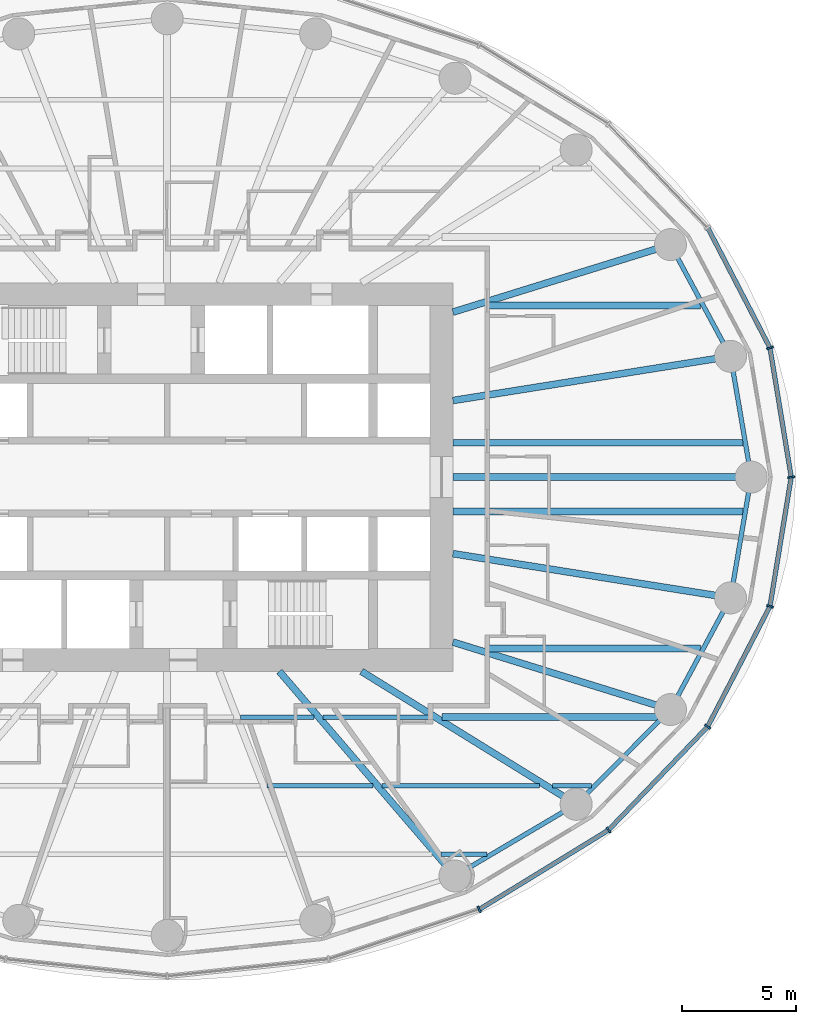
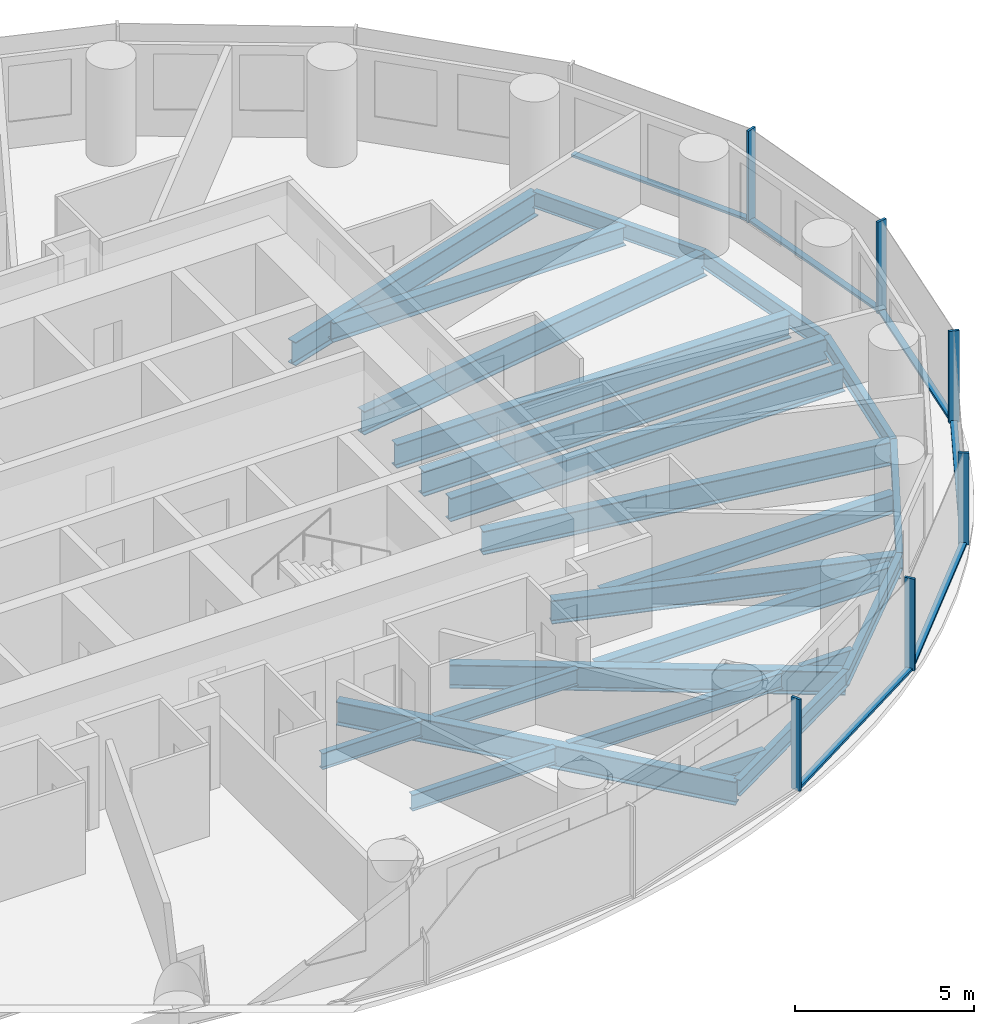
# One storey, part 3 of 14: 24 beams, 12 members, 2 elements without a shape of their own.
"""IFC4 building model written with IfcOpenShell, lengths in metres."""

from ifc_helpers import new_model, si_unit, direction, frame, origin, origin_2d, place, context, subcontext, project, spatial, rectangle, i_section, extrude, material, material_profile, profile_set, type_object, element, aggregate, save


model = new_model("IFC4")

# Units and contexts
model_context = context("Model", 3, precision=1e-05, world=origin(), true_north=direction((0.0, 1.0)))
body_context = subcontext(model_context, "Body", "Model", "MODEL_VIEW")
ifc_project = project(units=[si_unit("LENGTHUNIT", "METRE"), si_unit("AREAUNIT", "SQUARE_METRE"), si_unit("VOLUMEUNIT", "CUBIC_METRE"), si_unit("PLANEANGLEUNIT", "RADIAN"), si_unit("MASSUNIT", "GRAM", prefix="KILO")], contexts=[model_context])

# Site, building, storey
site_placement = place(None, origin())
site = spatial("IfcSite", under=ifc_project, at=site_placement, CompositionType="ELEMENT")
building_placement = place(site_placement, origin())
building = spatial("IfcBuilding", under=site, at=building_placement, Name="Hankou Lantern Tower", CompositionType="ELEMENT")
storey_placement = place(building_placement, frame((0.0, 0.0, 50.699951171875)))
storey = spatial("IfcBuildingStorey", under=building, at=storey_placement, Name="L11", CompositionType="ELEMENT", Elevation=50.699951171875)

# Beams
ifc_material_1 = material(Name="Steel Q355B", Category="steel")
ifc_material_profile_1 = material_profile(ifc_material_1, i_section(OverallWidth=0.199951171875, OverallDepth=0.550048828125, WebThickness=0.010009765625, FlangeThickness=0.01611328125, FilletRadius=0.012939453125, at=origin_2d()), Name="HN550x200x10x16")
ifc_profile_set_1 = profile_set([ifc_material_profile_1], Name="Steel Q355B")
beam_type_1 = type_object("IfcBeamType", Name="EB6 RING BEAM HN550x200x10x16", PredefinedType="SPANDREL", material=ifc_profile_set_1)
beam_1_placement = place(storey_placement, frame((25.550048828125, 0.0, -0.454833984375), z_axis=(-0.168489691988, 0.985703415685, 0.0), x_axis=(-0.985703415685, -0.168489691988, 0.0)))
element("IfcBeam", 1, at=beam_1_placement, inside=storey, type_object=beam_type_1, Name="Ring beam R01-R02 L11", PredefinedType="SPANDREL", context=body_context, shape_type="SweptSolid", body=[
    extrude(i_section(OverallWidth=0.199951171875, OverallDepth=0.550048828125, WebThickness=0.010009765625, FlangeThickness=0.01611328125, FilletRadius=0.012939453125, at=origin_2d()), origin(), (0.0, 0.0, 1.0), 5.35986328125),
])
beam_2_placement = place(storey_placement, frame((24.64697265625, 5.283203125, -0.454833984375), z_axis=(-0.473609096023, 0.880735161194, 0.0), x_axis=(-0.880735161194, -0.473609096023, 0.0)))
element("IfcBeam", 2, at=beam_2_placement, inside=storey, type_object=beam_type_1, Name="Ring beam R02-R03 L11", PredefinedType="SPANDREL", context=body_context, shape_type="SweptSolid", body=[
    extrude(i_section(OverallWidth=0.199951171875, OverallDepth=0.550048828125, WebThickness=0.010009765625, FlangeThickness=0.01611328125, FilletRadius=0.012939453125, at=origin_2d()), origin(), (0.0, 0.0, 1.0), 5.548828125),
])
beam_3_placement = place(storey_placement, frame((12.5908203125, -17.446533203125, -0.454833984375), z_axis=(0.860881533543, 0.508805449268, 0.0), x_axis=(-0.508805449268, 0.860881533543, 0.0)))
element("IfcBeam", 3, at=beam_3_placement, inside=storey, type_object=beam_type_1, Name="Ring beam R21-R22 L11", PredefinedType="SPANDREL", context=body_context, shape_type="SweptSolid", body=[
    extrude(i_section(OverallWidth=0.199951171875, OverallDepth=0.550048828125, WebThickness=0.010009765625, FlangeThickness=0.01611328125, FilletRadius=0.012939453125, at=origin_2d()), origin(), (0.0, 0.0, 1.0), 6.15771484375),
])
beam_4_placement = place(storey_placement, frame((17.891845703125, -14.3134765625, -0.454833984375), z_axis=(0.705727798394, 0.708483079949, 0.0), x_axis=(-0.708483079949, 0.705727798394, 0.0)))
element("IfcBeam", 4, at=beam_4_placement, inside=storey, type_object=beam_type_1, Name="Ring beam R22-R23 L11", PredefinedType="SPANDREL", context=body_context, shape_type="SweptSolid", body=[
    extrude(i_section(OverallWidth=0.199951171875, OverallDepth=0.550048828125, WebThickness=0.010009765625, FlangeThickness=0.01611328125, FilletRadius=0.012939453125, at=origin_2d()), origin(), (0.0, 0.0, 1.0), 5.84814453125),
])
beam_5_placement = place(storey_placement, frame((22.01904296875, -10.170166015625, -0.454833984375), z_axis=(0.473609096023, 0.880735161194, 0.0), x_axis=(-0.880735161194, 0.473609096023, 0.0)))
element("IfcBeam", 5, at=beam_5_placement, inside=storey, type_object=beam_type_1, Name="Ring beam R23-R24 L11", PredefinedType="SPANDREL", context=body_context, shape_type="SweptSolid", body=[
    extrude(i_section(OverallWidth=0.199951171875, OverallDepth=0.550048828125, WebThickness=0.010009765625, FlangeThickness=0.01611328125, FilletRadius=0.012939453125, at=origin_2d()), origin(), (0.0, 0.0, 1.0), 5.548828125),
])
beam_6_placement = place(storey_placement, frame((24.64697265625, -5.283203125, -0.454833984375), z_axis=(0.168489691988, 0.985703415685, 0.0), x_axis=(-0.985703415685, 0.168489691988, 0.0)))
element("IfcBeam", 6, at=beam_6_placement, inside=storey, type_object=beam_type_1, Name="Ring beam R24-R01 L11", PredefinedType="SPANDREL", context=body_context, shape_type="SweptSolid", body=[
    extrude(i_section(OverallWidth=0.199951171875, OverallDepth=0.550048828125, WebThickness=0.010009765625, FlangeThickness=0.01611328125, FilletRadius=0.012939453125, at=origin_2d()), origin(), (0.0, 0.0, 1.0), 5.35986328125),
])

# Curtain wall, members
ifc_material_2 = material(Name="Glass, dark grey tinted laminated", Category="glass")
curtain_wall_type = type_object("IfcCurtainWallType", Name="CWA OUTER SKIN LOW-RISE", PredefinedType="USERDEFINED", material=ifc_material_2)
curtain_wall_1_placement = place(storey_placement, origin())
curtain_wall_1 = element("IfcCurtainWall", 7, at=curtain_wall_1_placement, inside=storey, type_object=curtain_wall_type, Name="CWA L11 OS1", ObjectType="OUTER SKIN LOW-RISE", PredefinedType="USERDEFINED")
ifc_material_3 = material(Name="Aluminium, black anodised", Category="aluminium")
ifc_material_profile_2 = material_profile(ifc_material_3, rectangle(XDim=0.080078125, YDim=0.300048828125, at=origin_2d()), Name="MU1 80X300")
ifc_profile_set_2 = profile_set([ifc_material_profile_2], Name="Aluminium, black anodised")
member_type_1 = type_object("IfcMemberType", Name="MU1 OUTER SKIN MULLION 80X300", PredefinedType="MULLION", material=ifc_profile_set_2)
member_1_placement = place(storey_placement, frame((27.300048828125, 0.0, 0.0), z_axis=(0.0, 0.0, 1.0), x_axis=(-0.162381515188, 0.986728049427, 0.0)))
member_1 = element("IfcMember", 8, at=member_1_placement, type_object=member_type_1, Name="CWA mullion 1", PredefinedType="MULLION", context=body_context, shape_type="SweptSolid", body=[
    extrude(rectangle(XDim=0.080078125, YDim=0.300048828125, at=origin_2d()), origin(), (0.0, 0.0, 1.0), 3.1201171875),
])
member_2_placement = place(storey_placement, frame((26.369873046875, 5.652587890625, 0.0), z_axis=(0.0, 0.0, 1.0), x_axis=(-0.317595577365, 0.94822626479, 0.0)))
member_2 = element("IfcMember", 9, at=member_2_placement, type_object=member_type_1, Name="CWA mullion 2", PredefinedType="MULLION", context=body_context, shape_type="SweptSolid", body=[
    extrude(rectangle(XDim=0.080078125, YDim=0.300048828125, at=origin_2d()), origin(), (0.0, 0.0, 1.0), 3.1201171875),
])

curtain_wall_2_placement = place(storey_placement, origin())
curtain_wall_2 = element("IfcCurtainWall", 10, at=curtain_wall_2_placement, inside=storey, type_object=curtain_wall_type, Name="CWA L11 OS4", ObjectType="OUTER SKIN LOW-RISE", PredefinedType="USERDEFINED")
member_3_placement = place(storey_placement, frame((13.64990234375, -18.9140625, 0.0), z_axis=(0.0, 0.0, 1.0), x_axis=(0.907841299004, 0.419313934686, 0.0)))
member_3 = element("IfcMember", 11, at=member_3_placement, type_object=member_type_1, Name="CWA mullion 3", PredefinedType="MULLION", context=body_context, shape_type="SweptSolid", body=[
    extrude(rectangle(XDim=0.080078125, YDim=0.300048828125, at=origin_2d()), origin(), (0.0, 0.0, 1.0), 3.1201171875),
])
member_4_placement = place(storey_placement, frame((19.303955078125, -15.443115234375, 0.0), z_axis=(0.0, 0.0, 1.0), x_axis=(0.780868809444, 0.624695047553, 0.0)))
member_4 = element("IfcMember", 12, at=member_4_placement, type_object=member_type_1, Name="CWA mullion 4", PredefinedType="MULLION", context=body_context, shape_type="SweptSolid", body=[
    extrude(rectangle(XDim=0.080078125, YDim=0.300048828125, at=origin_2d()), origin(), (0.0, 0.0, 1.0), 3.1201171875),
])
member_5_placement = place(storey_placement, frame((23.642578125, -10.919921875, 0.0), z_axis=(0.0, 0.0, 1.0), x_axis=(0.585205735974, 0.810884854084, 0.0)))
member_5 = element("IfcMember", 13, at=member_5_placement, type_object=member_type_1, Name="CWA mullion 5", PredefinedType="MULLION", context=body_context, shape_type="SweptSolid", body=[
    extrude(rectangle(XDim=0.080078125, YDim=0.300048828125, at=origin_2d()), origin(), (0.0, 0.0, 1.0), 3.1201171875),
])
member_6_placement = place(storey_placement, frame((26.369873046875, -5.652587890625, 0.0), z_axis=(0.0, 0.0, 1.0), x_axis=(0.317595577365, 0.94822626479, 0.0)))
member_6 = element("IfcMember", 14, at=member_6_placement, type_object=member_type_1, Name="CWA mullion 6", PredefinedType="MULLION", context=body_context, shape_type="SweptSolid", body=[
    extrude(rectangle(XDim=0.080078125, YDim=0.300048828125, at=origin_2d()), origin(), (0.0, 0.0, 1.0), 3.1201171875),
])

# Beams
ifc_material_4 = material(Name="Steel Q355B", Category="steel")
ifc_material_profile_3 = material_profile(ifc_material_4, i_section(OverallWidth=0.300048828125, OverallDepth=0.800048828125, WebThickness=0.013916015625, FlangeThickness=0.02587890625, FilletRadius=0.01806640625, at=origin_2d()), Name="HN800x300x14x26")
ifc_profile_set_3 = profile_set([ifc_material_profile_3], Name="Steel Q355B")
beam_type_2 = type_object("IfcBeamType", Name="RB11 RADIAL BEAM HN800x300x14x26", PredefinedType="BEAM", material=ifc_profile_set_3)
beam_7_placement = place(storey_placement, frame((12.5, 3.349365234375, -0.579833984375), z_axis=(0.987563081343, 0.157223281893, 0.0), x_axis=(-0.157223281893, 0.987563081343, 0.0)))
element("IfcBeam", 15, at=beam_7_placement, inside=storey, type_object=beam_type_2, Name="Radial beam R02 L11", PredefinedType="BEAM", context=body_context, shape_type="SweptSolid", body=[
    extrude(i_section(OverallWidth=0.300048828125, OverallDepth=0.800048828125, WebThickness=0.013916015625, FlangeThickness=0.02587890625, FilletRadius=0.01806640625, at=origin_2d()), origin(), (0.0, 0.0, 1.0), 12.300048828125),
])
beam_8_placement = place(storey_placement, frame((12.5, 7.216796875, -0.579833984375), z_axis=(0.955087327755, 0.29632447817, 0.0), x_axis=(-0.29632447817, 0.955087327755, 0.0)))
element("IfcBeam", 16, at=beam_8_placement, inside=storey, type_object=beam_type_2, Name="Radial beam R03 L11", PredefinedType="BEAM", context=body_context, shape_type="SweptSolid", body=[
    extrude(i_section(OverallWidth=0.300048828125, OverallDepth=0.800048828125, WebThickness=0.013916015625, FlangeThickness=0.02587890625, FilletRadius=0.01806640625, at=origin_2d()), origin(), (0.0, 0.0, 1.0), 9.966552734375),
])
beam_9_placement = place(storey_placement, frame((4.907470703125, -8.5, -0.579833984375), z_axis=(0.651519061225, -0.758632264579, 0.0), x_axis=(0.758632264579, 0.651519061225, 0.0)))
element("IfcBeam", 17, at=beam_9_placement, inside=storey, type_object=beam_type_2, Name="Radial beam R21 L11", PredefinedType="BEAM", context=body_context, shape_type="SweptSolid", body=[
    extrude(i_section(OverallWidth=0.300048828125, OverallDepth=0.800048828125, WebThickness=0.013916015625, FlangeThickness=0.02587890625, FilletRadius=0.01806640625, at=origin_2d()), origin(), (0.0, 0.0, 1.0), 11.79296875),
])
beam_10_placement = place(storey_placement, frame((8.5, -8.5, -0.579833984375), z_axis=(0.850286343288, -0.526320372414, 0.0), x_axis=(0.526320372414, 0.850286343288, 0.0)))
element("IfcBeam", 18, at=beam_10_placement, inside=storey, type_object=beam_type_2, Name="Radial beam R22 L11", PredefinedType="BEAM", context=body_context, shape_type="SweptSolid", body=[
    extrude(i_section(OverallWidth=0.300048828125, OverallDepth=0.800048828125, WebThickness=0.013916015625, FlangeThickness=0.02587890625, FilletRadius=0.01806640625, at=origin_2d()), origin(), (0.0, 0.0, 1.0), 11.04541015625),
])
beam_11_placement = place(storey_placement, frame((12.5, -7.216796875, -0.579833984375), z_axis=(0.955087327755, -0.29632447817, 0.0), x_axis=(0.29632447817, 0.955087327755, 0.0)))
element("IfcBeam", 19, at=beam_11_placement, inside=storey, type_object=beam_type_2, Name="Radial beam R23 L11", PredefinedType="BEAM", context=body_context, shape_type="SweptSolid", body=[
    extrude(i_section(OverallWidth=0.300048828125, OverallDepth=0.800048828125, WebThickness=0.013916015625, FlangeThickness=0.02587890625, FilletRadius=0.01806640625, at=origin_2d()), origin(), (0.0, 0.0, 1.0), 9.966552734375),
])
beam_12_placement = place(storey_placement, frame((12.5, -3.349365234375, -0.579833984375), z_axis=(0.987563081343, -0.157223281893, 0.0), x_axis=(0.157223281893, 0.987563081343, 0.0)))
element("IfcBeam", 20, at=beam_12_placement, inside=storey, type_object=beam_type_2, Name="Radial beam R24 L11", PredefinedType="BEAM", context=body_context, shape_type="SweptSolid", body=[
    extrude(i_section(OverallWidth=0.300048828125, OverallDepth=0.800048828125, WebThickness=0.013916015625, FlangeThickness=0.02587890625, FilletRadius=0.01806640625, at=origin_2d()), origin(), (0.0, 0.0, 1.0), 12.300048828125),
])
ifc_material_5 = material(Name="Steel Q355B", Category="steel")
ifc_material_profile_4 = material_profile(ifc_material_5, i_section(OverallWidth=0.300048828125, OverallDepth=0.85009765625, WebThickness=0.01611328125, FlangeThickness=0.027099609375, FilletRadius=0.01806640625, at=origin_2d()), Name="HN850x300x16x27")
ifc_profile_set_4 = profile_set([ifc_material_profile_4], Name="Steel Q355B")
beam_type_3 = type_object("IfcBeamType", Name="RB12 RADIAL BEAM HN850x300x16x27", PredefinedType="BEAM", material=ifc_profile_set_4)
beam_13_placement = place(storey_placement, frame((12.5, 0.0, -0.60498046875), z_axis=(1.0, 0.0, 0.0), x_axis=(0.0, 1.0, 0.0)))
element("IfcBeam", 21, at=beam_13_placement, inside=storey, type_object=beam_type_3, Name="Radial beam R01 L11", PredefinedType="BEAM", context=body_context, shape_type="SweptSolid", body=[
    extrude(i_section(OverallWidth=0.300048828125, OverallDepth=0.85009765625, WebThickness=0.01611328125, FlangeThickness=0.027099609375, FilletRadius=0.01806640625, at=origin_2d()), origin(), (0.0, 0.0, 1.0), 13.050048828125),
])
ifc_material_6 = material(Name="Steel Q355B", Category="steel")
ifc_material_profile_5 = material_profile(ifc_material_6, i_section(OverallWidth=0.300048828125, OverallDepth=0.800048828125, WebThickness=0.013916015625, FlangeThickness=0.02587890625, FilletRadius=0.01806640625, at=origin_2d()), Name="HN800x300x14x26")
ifc_profile_set_5 = profile_set([ifc_material_profile_5], Name="Steel Q355B")
beam_type_4 = type_object("IfcBeamType", Name="SB11 SECONDARY BEAM HN800x300x14x26", PredefinedType="JOIST", material=ifc_profile_set_5)
for number, where, z_axis, x_axis, name in (
    (22, (12.5, -1.5, -0.579833984375), (1.0, 0.0, 0.0), (0.0, 1.0, 0.0), "Floor joist J030 L11"),
    (23, (12.5, 1.5, -0.579833984375), (1.0, 0.0, 0.0), (0.0, 1.0, 0.0), "Floor joist J032 L11"),
):
    element("IfcBeam", number, at=place(storey_placement, frame(where, z_axis=z_axis, x_axis=x_axis)), inside=storey, type_object=beam_type_4, Name=name, PredefinedType="JOIST", context=body_context, shape_type="SweptSolid", body=[
        extrude(i_section(OverallWidth=0.300048828125, OverallDepth=0.800048828125, WebThickness=0.013916015625, FlangeThickness=0.02587890625, FilletRadius=0.01806640625, at=origin_2d()), origin(), (0.0, 0.0, 1.0), 12.692138671875),
    ])
ifc_material_7 = material(Name="Steel Q355B", Category="steel")
ifc_material_profile_6 = material_profile(ifc_material_7, i_section(OverallWidth=0.199951171875, OverallDepth=0.550048828125, WebThickness=0.010009765625, FlangeThickness=0.01611328125, FilletRadius=0.012939453125, at=origin_2d()), Name="HN550x200x10x16")
ifc_profile_set_6 = profile_set([ifc_material_profile_6], Name="Steel Q355B")
beam_type_5 = type_object("IfcBeamType", Name="SB6 SECONDARY BEAM HN550x200x10x16", PredefinedType="JOIST", material=ifc_profile_set_6)
beam_14_placement = place(storey_placement, frame((11.975830078125, -16.5, -0.454833984375), z_axis=(1.0, 0.0, 0.0), x_axis=(0.0, 1.0, 0.0)))
element("IfcBeam", 24, at=beam_14_placement, inside=storey, type_object=beam_type_5, Name="Floor joist J006 L11", PredefinedType="JOIST", context=body_context, shape_type="SweptSolid", body=[
    extrude(i_section(OverallWidth=0.199951171875, OverallDepth=0.550048828125, WebThickness=0.010009765625, FlangeThickness=0.01611328125, FilletRadius=0.012939453125, at=origin_2d()), origin(), (0.0, 0.0, 1.0), 2.019775390625),
])
beam_15_placement = place(storey_placement, frame((4.37451171875, -13.5, -0.454833984375), z_axis=(1.0, 0.0, 0.0), x_axis=(0.0, 1.0, 0.0)))
element("IfcBeam", 25, at=beam_15_placement, inside=storey, type_object=beam_type_5, Name="Floor joist J012 L11", PredefinedType="JOIST", context=body_context, shape_type="SweptSolid", body=[
    extrude(i_section(OverallWidth=0.199951171875, OverallDepth=0.550048828125, WebThickness=0.010009765625, FlangeThickness=0.01611328125, FilletRadius=0.012939453125, at=origin_2d()), origin(), (0.0, 0.0, 1.0), 4.62939453125),
])
beam_16_placement = place(storey_placement, frame((9.3994140625, -13.5, -0.454833984375), z_axis=(1.0, 0.0, 0.0), x_axis=(0.0, 1.0, 0.0)))
element("IfcBeam", 26, at=beam_16_placement, inside=storey, type_object=beam_type_5, Name="Floor joist J013 L11", PredefinedType="JOIST", context=body_context, shape_type="SweptSolid", body=[
    extrude(i_section(OverallWidth=0.199951171875, OverallDepth=0.550048828125, WebThickness=0.010009765625, FlangeThickness=0.01611328125, FilletRadius=0.012939453125, at=origin_2d()), origin(), (0.0, 0.0, 1.0), 6.893310546875),
])
beam_17_placement = place(storey_placement, frame((16.86279296875, -13.5, -0.454833984375), z_axis=(1.0, 0.0, 0.0), x_axis=(0.0, 1.0, 0.0)))
element("IfcBeam", 27, at=beam_17_placement, inside=storey, type_object=beam_type_5, Name="Floor joist J014 L11", PredefinedType="JOIST", context=body_context, shape_type="SweptSolid", body=[
    extrude(i_section(OverallWidth=0.199951171875, OverallDepth=0.550048828125, WebThickness=0.010009765625, FlangeThickness=0.01611328125, FilletRadius=0.012939453125, at=origin_2d()), origin(), (0.0, 0.0, 1.0), 1.697998046875),
])
beam_18_placement = place(storey_placement, frame((3.212890625, -10.5, -0.454833984375), z_axis=(1.0, 0.0, 0.0), x_axis=(0.0, 1.0, 0.0)))
element("IfcBeam", 28, at=beam_18_placement, inside=storey, type_object=beam_type_5, Name="Floor joist J020 L11", PredefinedType="JOIST", context=body_context, shape_type="SweptSolid", body=[
    extrude(i_section(OverallWidth=0.199951171875, OverallDepth=0.550048828125, WebThickness=0.010009765625, FlangeThickness=0.01611328125, FilletRadius=0.012939453125, at=origin_2d()), origin(), (0.0, 0.0, 1.0), 3.214599609375),
])
beam_19_placement = place(storey_placement, frame((6.82275390625, -10.5, -0.454833984375), z_axis=(1.0, 0.0, 0.0), x_axis=(0.0, 1.0, 0.0)))
element("IfcBeam", 29, at=beam_19_placement, inside=storey, type_object=beam_type_5, Name="Floor joist J021 L11", PredefinedType="JOIST", context=body_context, shape_type="SweptSolid", body=[
    extrude(i_section(OverallWidth=0.199951171875, OverallDepth=0.550048828125, WebThickness=0.010009765625, FlangeThickness=0.01611328125, FilletRadius=0.012939453125, at=origin_2d()), origin(), (0.0, 0.0, 1.0), 4.623291015625),
])
ifc_material_8 = material(Name="Steel Q355B", Category="steel")
ifc_material_profile_7 = material_profile(ifc_material_8, i_section(OverallWidth=0.300048828125, OverallDepth=0.64990234375, WebThickness=0.010986328125, FlangeThickness=0.01708984375, FilletRadius=0.01806640625, at=origin_2d()), Name="HN650x300x11x17")
ifc_profile_set_7 = profile_set([ifc_material_profile_7], Name="Steel Q355B")
beam_type_6 = type_object("IfcBeamType", Name="SB8 SECONDARY BEAM HN650x300x11x17", PredefinedType="JOIST", material=ifc_profile_set_7)
beam_20_placement = place(storey_placement, frame((12.01611328125, -10.5, -0.5048828125), z_axis=(1.0, 0.0, 0.0), x_axis=(0.0, 1.0, 0.0)))
element("IfcBeam", 30, at=beam_20_placement, inside=storey, type_object=beam_type_6, Name="Floor joist J022 L11", PredefinedType="JOIST", context=body_context, shape_type="SweptSolid", body=[
    extrude(i_section(OverallWidth=0.300048828125, OverallDepth=0.64990234375, WebThickness=0.010986328125, FlangeThickness=0.01708984375, FilletRadius=0.01806640625, at=origin_2d()), origin(), (0.0, 0.0, 1.0), 9.533203125),
])
for number, where, z_axis, x_axis, name in (
    (31, (13.918701171875, -7.5, -0.5048828125), (1.0, 0.0, 0.0), (0.0, 1.0, 0.0), "Floor joist J024 L11"),
    (32, (13.918701171875, 7.5, -0.5048828125), (1.0, 0.0, 0.0), (0.0, 1.0, 0.0), "Floor joist J038 L11"),
):
    element("IfcBeam", number, at=place(storey_placement, frame(where, z_axis=z_axis, x_axis=x_axis)), inside=storey, type_object=beam_type_6, Name=name, PredefinedType="JOIST", context=body_context, shape_type="SweptSolid", body=[
        extrude(i_section(OverallWidth=0.300048828125, OverallDepth=0.64990234375, WebThickness=0.010986328125, FlangeThickness=0.01708984375, FilletRadius=0.01806640625, at=origin_2d()), origin(), (0.0, 0.0, 1.0), 9.4228515625),
    ])

# Member
ifc_material_9 = material(Name="Aluminium, black anodised", Category="aluminium")
ifc_material_profile_8 = material_profile(ifc_material_9, rectangle(XDim=0.199951171875, YDim=0.080078125, at=origin_2d()), Name="TR1 200X80")
ifc_profile_set_8 = profile_set([ifc_material_profile_8], Name="Aluminium, black anodised")
member_type_2 = type_object("IfcMemberType", Name="TR1 OUTER SKIN TRANSOM 200X80", PredefinedType="USERDEFINED", material=ifc_profile_set_8)
member_7_placement = place(storey_placement, frame((27.29345703125, 0.03955078125, 0.0400390625), z_axis=(-0.162387045529, 0.986727139307, 0.0), x_axis=(-0.986727139307, -0.162387045529, 0.0)))
member_7 = element("IfcMember", 33, at=member_7_placement, type_object=member_type_2, Name="CWA transom 1", ObjectType="TRANSOM", PredefinedType="USERDEFINED", context=body_context, shape_type="SweptSolid", body=[
    extrude(rectangle(XDim=0.199951171875, YDim=0.080078125, at=origin_2d()), origin(), (0.0, 0.0, 1.0), 5.6484375),
])

member_8_placement = place(storey_placement, frame((26.351318359375, 5.688232421875, 0.0400390625), z_axis=(-0.459786096495, 0.888029698529, 0.0), x_axis=(-0.888029698529, -0.459786096495, 0.0)))
member_8 = element("IfcMember", 34, at=member_8_placement, type_object=member_type_2, Name="CWA transom 2", ObjectType="TRANSOM", PredefinedType="USERDEFINED", context=body_context, shape_type="SweptSolid", body=[
    extrude(rectangle(XDim=0.199951171875, YDim=0.080078125, at=origin_2d()), origin(), (0.0, 0.0, 1.0), 5.8515625),
])

aggregate(curtain_wall_1, [member_1, member_2, member_7, member_8])

member_9_placement = place(storey_placement, frame((13.68408203125, -18.89306640625, 0.0400390625), z_axis=(0.85223969557, 0.523151508929, 0.0), x_axis=(-0.523151508929, 0.85223969557, 0.0)))
member_9 = element("IfcMember", 35, at=member_9_placement, type_object=member_type_2, Name="CWA transom 3", ObjectType="TRANSOM", PredefinedType="USERDEFINED", context=body_context, shape_type="SweptSolid", body=[
    extrude(rectangle(XDim=0.199951171875, YDim=0.080078125, at=origin_2d()), origin(), (0.0, 0.0, 1.0), 6.554443359375),
])

member_10_placement = place(storey_placement, frame((19.331787109375, -15.414306640625, 0.0400390625), z_axis=(0.692215537374, 0.721690827029, 0.0), x_axis=(-0.721690827029, 0.692215537374, 0.0)))
member_10 = element("IfcMember", 36, at=member_10_placement, type_object=member_type_2, Name="CWA transom 4", ObjectType="TRANSOM", PredefinedType="USERDEFINED", context=body_context, shape_type="SweptSolid", body=[
    extrude(rectangle(XDim=0.199951171875, YDim=0.080078125, at=origin_2d()), origin(), (0.0, 0.0, 1.0), 6.187255859375),
])

member_11_placement = place(storey_placement, frame((23.660888671875, -10.884521484375, 0.0400390625), z_axis=(0.459786096495, 0.888029698529, 0.0), x_axis=(-0.888029698529, 0.459786096495, 0.0)))
member_11 = element("IfcMember", 37, at=member_11_placement, type_object=member_type_2, Name="CWA transom 5", ObjectType="TRANSOM", PredefinedType="USERDEFINED", context=body_context, shape_type="SweptSolid", body=[
    extrude(rectangle(XDim=0.199951171875, YDim=0.080078125, at=origin_2d()), origin(), (0.0, 0.0, 1.0), 5.8515625),
])

member_12_placement = place(storey_placement, frame((26.376220703125, -5.613037109375, 0.0400390625), z_axis=(0.162387045529, 0.986727139307, 0.0), x_axis=(-0.986727139307, 0.162387045529, 0.0)))
member_12 = element("IfcMember", 38, at=member_12_placement, type_object=member_type_2, Name="CWA transom 6", ObjectType="TRANSOM", PredefinedType="USERDEFINED", context=body_context, shape_type="SweptSolid", body=[
    extrude(rectangle(XDim=0.199951171875, YDim=0.080078125, at=origin_2d()), origin(), (0.0, 0.0, 1.0), 5.6484375),
])

aggregate(curtain_wall_2, [member_3, member_4, member_5, member_6, member_9, member_10, member_11, member_12])

save(model, "model.ifc")
